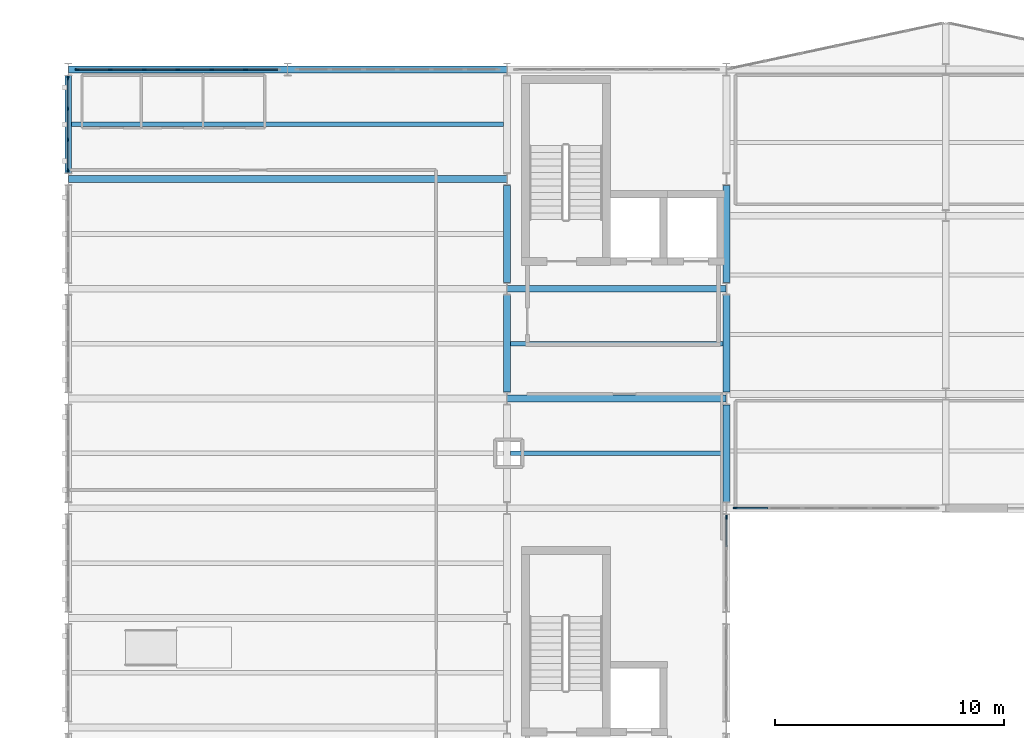
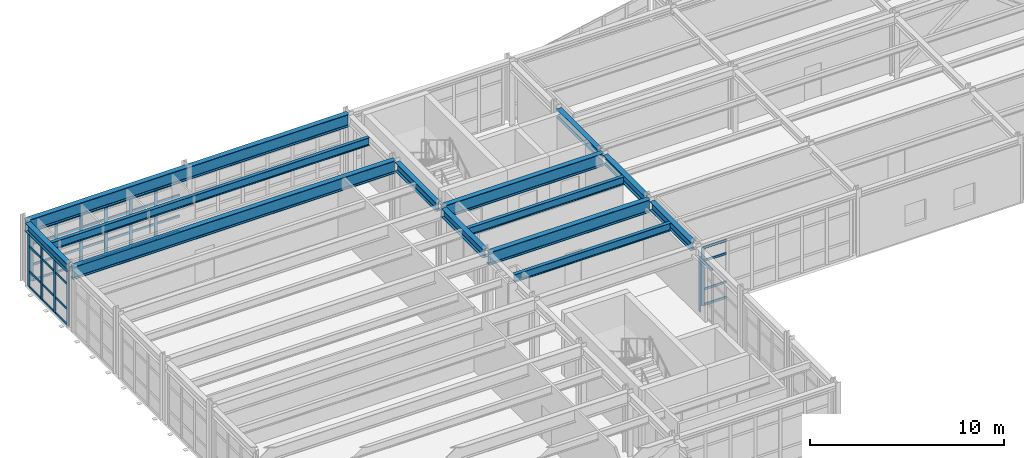
# One storey, part 31 of 76: 53 members, 13 beams, 4 elements without a shape of their own.
"""IFC4 building model written with IfcOpenShell, lengths in metres."""

import ifcopenshell
import ifcopenshell.guid

model = None  # the IFC model being written
_history = None  # IfcOwnerHistory: only IFC2X3 demands one
_inside = {}  # id of a spatial element -> (the spatial element, [elements in it])
_under = {}  # id of a project, library or spatial element -> (it, [spatial elements below it])
_declared = {}  # id of a project -> (the project, [libraries it declares])
_typed = {}  # id of a type object -> (the type object, [elements of that type])
_made_of = {}  # id of a material, layer set ... -> (it, [elements and type objects made of it])


def new_model(schema):
    """Start an empty IFC model of exactly this schema.

    Asked for "IFC4X3", IfcOpenShell would pick the latest addendum, in which some entities
    have other attributes; the version numbers below select the first issue.
    IFC2X3 requires an IfcOwnerHistory on every rooted entity: one is made here for all.
    """
    global model, _history
    if schema == "IFC4X3":
        model = ifcopenshell.file(schema_version=(4, 3, 0, 0))
    else:
        model = ifcopenshell.file(schema=schema)
    _inside.clear()
    _under.clear()
    _declared.clear()
    _typed.clear()
    _made_of.clear()
    _history = None
    if model.schema == "IFC2X3":
        org = make("IfcOrganization", Name="unknown")
        user = make(
            "IfcPersonAndOrganization",
            ThePerson=make("IfcPerson", FamilyName="unknown"),
            TheOrganization=org,
        )
        app = make(
            "IfcApplication",
            ApplicationDeveloper=org,
            Version="unknown",
            ApplicationFullName="unknown",
            ApplicationIdentifier="unknown",
        )
        _history = make(
            "IfcOwnerHistory",
            OwningUser=user,
            OwningApplication=app,
            ChangeAction="ADDED",
            CreationDate=0,
        )
    return model


def make(cls, **values):
    """One entity of the class cls with the attributes given. An attribute that is None is left unset."""
    return model.create_entity(
        cls, **{name: value for name, value in values.items() if value is not None}
    )


def rooted(cls, **values):
    """An entity with a GlobalId (a new one), such as an element, a storey or a relation."""
    return make(cls, GlobalId=ifcopenshell.guid.new(), OwnerHistory=_history, **values)


def si_unit(unit_type, name, prefix=None):
    """IfcSIUnit, for example si_unit("LENGTHUNIT", "METRE", prefix="MILLI")."""
    return make("IfcSIUnit", UnitType=unit_type, Prefix=prefix, Name=name)


def assignment(units):
    """IfcUnitAssignment: the units of a project."""
    return None if units is None else make("IfcUnitAssignment", Units=units)


def point(xyz):
    """IfcCartesianPoint."""
    return None if xyz is None else make("IfcCartesianPoint", Coordinates=xyz)


def direction(xyz):
    """IfcDirection."""
    return None if xyz is None else make("IfcDirection", DirectionRatios=xyz)


def frame(location, z_axis=None, x_axis=None):
    """IfcAxis2Placement3D, a coordinate frame: its origin and axes. An axis left out is left unset."""
    return make(
        "IfcAxis2Placement3D",
        Location=point(location),
        Axis=direction(z_axis),
        RefDirection=direction(x_axis),
    )


def frame_2d(location, x_axis=None):
    """IfcAxis2Placement2D, a coordinate frame in the plane: its origin and x axis."""
    return make(
        "IfcAxis2Placement2D", Location=point(location), RefDirection=direction(x_axis)
    )


def origin():
    """The frame at (0, 0, 0) with its axes left unset."""
    return frame((0.0, 0.0, 0.0))


def origin_2d():
    """The frame at (0, 0) in the plane with its x axis left unset."""
    return frame_2d((0.0, 0.0))


def place(relative_to, where):
    """IfcLocalPlacement: puts the frame where relative to a parent placement (None: the world)."""
    return make(
        "IfcLocalPlacement", PlacementRelTo=relative_to, RelativePlacement=where
    )


def context(
    kind, dimensions, precision=None, world=None, true_north=None, identifier=None
):
    """IfcGeometricRepresentationContext, for example the 3D "Model" context."""
    return make(
        "IfcGeometricRepresentationContext",
        ContextIdentifier=identifier,
        ContextType=kind,
        CoordinateSpaceDimension=dimensions,
        Precision=precision,
        WorldCoordinateSystem=world,
        TrueNorth=true_north,
    )


def subcontext(parent, identifier, kind, view, scale=None):
    """IfcGeometricRepresentationSubContext, for example "Body" below "Model"."""
    return make(
        "IfcGeometricRepresentationSubContext",
        ContextIdentifier=identifier,
        ContextType=kind,
        ParentContext=parent,
        TargetScale=scale,
        TargetView=view,
    )


def project(units=None, contexts=None):
    """IfcProject with its units and contexts."""
    return rooted(
        "IfcProject",
        Name="project",
        RepresentationContexts=contexts,
        UnitsInContext=assignment(units),
    )


def spatial(cls, under=None, at=None, **own):
    """A site, building, storey or space (cls), placed at a placement, below another one or the project."""
    s = rooted(cls, ObjectPlacement=at, **own)
    if under is not None:
        _under.setdefault(under.id(), (under, []))[1].append(s)
    return s


def profile(cls, at=None, kind="AREA", **sizes):
    """A parametric profile (cls). Its sizes go by their IFC names, for example OverallWidth=200.0."""
    return make(cls, ProfileType=kind, Position=at, **sizes)


def rectangle(**sizes):
    """IfcRectangleProfileDef."""
    return profile("IfcRectangleProfileDef", **sizes)


def i_section(**sizes):
    """IfcIShapeProfileDef."""
    return profile("IfcIShapeProfileDef", **sizes)


def extrude(swept, where, along, depth):
    """IfcExtrudedAreaSolid: the profile swept, set in the frame where, extruded along a direction by depth."""
    return make(
        "IfcExtrudedAreaSolid",
        SweptArea=swept,
        Position=where,
        ExtrudedDirection=direction(along),
        Depth=depth,
    )


def shape(context_of_items, identifier, shape_type, items):
    """IfcShapeRepresentation: the items that make up one representation, for example the "Body"."""
    return make(
        "IfcShapeRepresentation",
        ContextOfItems=context_of_items,
        RepresentationIdentifier=identifier,
        RepresentationType=shape_type,
        Items=items,
    )


def material(Name=None, Category=None):
    """IfcMaterial."""
    return make("IfcMaterial", Name=Name, Category=Category)


def layer(
    of_material, thickness, ventilated=None, Name=None, Category=None, Priority=None
):
    """IfcMaterialLayer: one layer of a wall or slab, of a material (None: an air gap)."""
    return make(
        "IfcMaterialLayer",
        Material=of_material,
        LayerThickness=thickness,
        IsVentilated=ventilated,
        Name=Name,
        Category=Category,
        Priority=Priority,
    )


def layer_set(layers, Name=None):
    """IfcMaterialLayerSet."""
    return make("IfcMaterialLayerSet", MaterialLayers=layers, LayerSetName=Name)


def material_profile(
    of_material, cross_section, Name=None, Category=None, Priority=None
):
    """IfcMaterialProfile: a cross section and its material."""
    return make(
        "IfcMaterialProfile",
        Name=Name,
        Material=of_material,
        Profile=cross_section,
        Priority=Priority,
        Category=Category,
    )


def profile_set(profiles, Name=None, composite=None):
    """IfcMaterialProfileSet."""
    return make(
        "IfcMaterialProfileSet",
        Name=Name,
        MaterialProfiles=profiles,
        CompositeProfile=composite,
    )


def made_of(thing, what):
    """Note that an element or type object is made of a material, layer set ...; save() writes the relation."""
    if what is not None:
        _made_of.setdefault(what.id(), (what, []))[1].append(thing)
    return thing


def type_object(cls, material=None, **own):
    """A type object (cls), such as IfcWallType, which elements share."""
    return made_of(rooted(cls, **own), material)


def element(
    cls,
    number,
    at=None,
    inside=None,
    cuts=None,
    type_object=None,
    material=None,
    context=None,
    identifier="Body",
    shape_type=None,
    held_by="IfcProductDefinitionShape",
    body=None,
    shapes=None,
    **own,
):
    """One element of the class cls, such as IfcWall. Its Tag is "e" and its number.

    at: its placement. inside: the storey or other place that contains it. cuts: it is an
    opening in that element (IfcRelVoidsElement). A single representation is given by context,
    identifier, shape_type and body (its items); several are given by shapes. held_by: the class
    of the entity that holds the representations. save() writes the other relations.
    """
    e = rooted(cls, Tag="e%d" % number, ObjectPlacement=at, **own)
    if body is not None:
        shapes = [shape(context, identifier, shape_type, body)]
    if shapes is not None:
        e.Representation = make(held_by, Representations=shapes)
    if inside is not None:
        _inside.setdefault(inside.id(), (inside, []))[1].append(e)
    if cuts is not None:
        rooted(
            "IfcRelVoidsElement", RelatingBuildingElement=cuts, RelatedOpeningElement=e
        )
    if type_object is not None:
        _typed.setdefault(type_object.id(), (type_object, []))[1].append(e)
    return made_of(e, material)


def aggregate(whole, parts):
    """IfcRelAggregates: a whole, such as a stair, and the parts it consists of."""
    return rooted("IfcRelAggregates", RelatingObject=whole, RelatedObjects=parts)


def save(model, path):
    """Write the relations noted so far, then the file.

    IfcRelAggregates (storeys below a building ...), IfcRelContainedInSpatialStructure (elements
    in a storey), IfcRelDefinesByType, IfcRelAssociatesMaterial and IfcRelDeclares: one each for
    every whole, place, type object, material and project.
    """
    for whole, parts in _under.values():
        aggregate(whole, parts)
    for where, things in _inside.values():
        rooted(
            "IfcRelContainedInSpatialStructure",
            RelatedElements=things,
            RelatingStructure=where,
        )
    for kind, things in _typed.values():
        rooted("IfcRelDefinesByType", RelatedObjects=things, RelatingType=kind)
    for what, things in _made_of.values():
        rooted("IfcRelAssociatesMaterial", RelatedObjects=things, RelatingMaterial=what)
    for by, libraries in _declared.values():
        rooted("IfcRelDeclares", RelatingContext=by, RelatedDefinitions=libraries)
    model.write(path)


model = new_model("IFC4")

# Units and contexts
model_context = context("Model", 3, precision=1e-05, world=origin(), true_north=direction((0.0, 1.0)))
body_context = subcontext(model_context, "Body", "Model", "MODEL_VIEW")
ifc_project = project(units=[si_unit("LENGTHUNIT", "METRE"), si_unit("AREAUNIT", "SQUARE_METRE"), si_unit("VOLUMEUNIT", "CUBIC_METRE"), si_unit("PLANEANGLEUNIT", "RADIAN"), si_unit("MASSUNIT", "GRAM", prefix="KILO")], contexts=[model_context])

# Site, building, storey
site_placement = place(None, origin())
site = spatial("IfcSite", under=ifc_project, at=site_placement, CompositionType="ELEMENT")
building_placement = place(site_placement, origin())
building = spatial("IfcBuilding", under=site, at=building_placement, Name="Nordkorset Police Headquarters", CompositionType="ELEMENT")
storey_placement = place(building_placement, frame((0.0, 0.0, 13.64990234375)))
storey = spatial("IfcBuildingStorey", under=building, at=storey_placement, Name="L03", CompositionType="ELEMENT", Elevation=13.64990234375)

# Beams
ifc_material_1 = material(Name="Steel S355J2", Category="steel")
ifc_material_profile_1 = material_profile(ifc_material_1, i_section(OverallWidth=0.199951171875, OverallDepth=0.5, WebThickness=0.01025390625, FlangeThickness=0.01611328125, FilletRadius=0.02099609375, at=origin_2d()), Name="IPE 500")
ifc_profile_set_1 = profile_set([ifc_material_profile_1], Name="Steel S355J2")
beam_type_1 = type_object("IfcBeamType", Name="Beam_IPE_500", PredefinedType="BEAM", material=ifc_profile_set_1)
beam_placement = place(storey_placement, frame((0.14990234375, 114.39990234375, 3.72998046875), z_axis=(1.0, 0.0, 0.0), x_axis=(0.0, 1.0, 0.0)))
element("IfcBeam", 1, at=beam_placement, inside=storey, type_object=beam_type_1, Name="Composite Floor Beam V1 L03 0-6-1", PredefinedType="BEAM", context=body_context, shape_type="SweptSolid", body=[
    extrude(i_section(OverallWidth=0.199951171875, OverallDepth=0.5, WebThickness=0.01025390625, FlangeThickness=0.01611328125, FilletRadius=0.02099609375, at=origin_2d()), origin(), (0.0, 0.0, 1.0), 18.900146484375),
])
for number, where, z_axis, x_axis, name in (
    (2, (19.35009765625, 100.0, 3.72998046875), (1.0, 0.0, 0.0), (0.0, 1.0, 0.0), "Composite Floor Beam V1 L03 1-3-1"),
    (3, (19.35009765625, 104.800048828125, 3.72998046875), (1.0, 0.0, 0.0), (0.0, 1.0, 0.0), "Composite Floor Beam V1 L03 1-4-1"),
):
    element("IfcBeam", number, at=place(storey_placement, frame(where, z_axis=z_axis, x_axis=x_axis)), inside=storey, type_object=beam_type_1, Name=name, PredefinedType="BEAM", context=body_context, shape_type="SweptSolid", body=[
        extrude(i_section(OverallWidth=0.199951171875, OverallDepth=0.5, WebThickness=0.01025390625, FlangeThickness=0.01611328125, FilletRadius=0.02099609375, at=origin_2d()), origin(), (0.0, 0.0, 1.0), 9.2998046875),
    ])

# Curtain wall, members
ifc_material_2 = material(Name="Aluminium alloy AW-6060", Category="aluminium")
ifc_layer_1 = layer(ifc_material_2, 0.179931640625, Name="Aluminium alloy AW-6060")
ifc_layer_set_1 = layer_set([ifc_layer_1], Name="Aluminium alloy AW-6060")
curtain_wall_type_1 = type_object("IfcCurtainWallType", Name="CW_Unit_408x342", PredefinedType="USERDEFINED", material=ifc_layer_set_1)
curtain_wall_1_placement = place(storey_placement, origin())
curtain_wall_1 = element("IfcCurtainWall", 4, at=curtain_wall_1_placement, inside=storey, type_object=curtain_wall_type_1, Name="Unitised Curtain Wall L03 V1W-6", ObjectType="UNITISED CURTAIN WALL", PredefinedType="USERDEFINED")
ifc_material_3 = material(Name="Aluminium alloy AW-6060", Category="aluminium")
ifc_material_profile_2 = material_profile(ifc_material_3, rectangle(XDim=0.06494140625, YDim=0.179931640625, at=origin_2d()), Name="ALU MULL 65x180")
ifc_profile_set_2 = profile_set([ifc_material_profile_2], Name="Aluminium alloy AW-6060")
member_type_1 = type_object("IfcMemberType", Name="CW_Mullion_65x180", PredefinedType="MULLION", material=ifc_profile_set_2)
member_1_placement = place(storey_placement, frame((0.0, 112.392578125, 0.0), z_axis=(0.0, 0.0, 1.0), x_axis=(-1.0, 0.0, 0.0)))
member_1 = element("IfcMember", 5, at=member_1_placement, type_object=member_type_1, Name="CW-72 mullion 1", PredefinedType="MULLION", context=body_context, shape_type="SweptSolid", body=[
    extrude(rectangle(XDim=0.06494140625, YDim=0.179931640625, at=origin_2d()), origin(), (0.0, 0.0, 1.0), 3.420166015625),
])
member_2_placement = place(storey_placement, frame((0.0, 113.719970703125, 0.0), z_axis=(0.0, 0.0, 1.0), x_axis=(-1.0, 0.0, 0.0)))
member_2 = element("IfcMember", 6, at=member_2_placement, type_object=member_type_1, Name="CW-72 mullion 2", PredefinedType="MULLION", context=body_context, shape_type="SweptSolid", body=[
    extrude(rectangle(XDim=0.06494140625, YDim=0.179931640625, at=origin_2d()), origin(), (0.0, 0.0, 1.0), 3.420166015625),
])
member_3_placement = place(storey_placement, frame((0.0, 115.080078125, 0.0), z_axis=(0.0, 0.0, 1.0), x_axis=(-1.0, 0.0, 0.0)))
member_3 = element("IfcMember", 7, at=member_3_placement, type_object=member_type_1, Name="CW-72 mullion 3", PredefinedType="MULLION", context=body_context, shape_type="SweptSolid", body=[
    extrude(rectangle(XDim=0.06494140625, YDim=0.179931640625, at=origin_2d()), origin(), (0.0, 0.0, 1.0), 3.420166015625),
])
member_4_placement = place(storey_placement, frame((0.0, 116.407470703125, 0.0), z_axis=(0.0, 0.0, 1.0), x_axis=(-1.0, 0.0, 0.0)))
member_4 = element("IfcMember", 8, at=member_4_placement, type_object=member_type_1, Name="CW-72 mullion 4", PredefinedType="MULLION", context=body_context, shape_type="SweptSolid", body=[
    extrude(rectangle(XDim=0.06494140625, YDim=0.179931640625, at=origin_2d()), origin(), (0.0, 0.0, 1.0), 3.420166015625),
])

ifc_material_4 = material(Name="Aluminium alloy AW-6060", Category="aluminium")
ifc_layer_2 = layer(ifc_material_4, 0.179931640625, Name="Aluminium alloy AW-6060")
ifc_layer_set_2 = layer_set([ifc_layer_2], Name="Aluminium alloy AW-6060")
curtain_wall_type_2 = type_object("IfcCurtainWallType", Name="CW_Unit_888x316", PredefinedType="USERDEFINED", material=ifc_layer_set_2)
curtain_wall_2_placement = place(storey_placement, origin())
curtain_wall_2 = element("IfcCurtainWall", 9, at=curtain_wall_2_placement, inside=storey, type_object=curtain_wall_type_2, Name="Unitised Curtain Wall L03 V1N-0", ObjectType="UNITISED CURTAIN WALL", PredefinedType="USERDEFINED")
member_5_placement = place(storey_placement, frame((0.392578125, 116.800048828125, 0.0), z_axis=(0.0, 0.0, 1.0), x_axis=(0.0, 1.0, 0.0)))
member_5 = element("IfcMember", 10, at=member_5_placement, type_object=member_type_1, Name="CW-109 mullion 1", PredefinedType="MULLION", context=body_context, shape_type="SweptSolid", body=[
    extrude(rectangle(XDim=0.06494140625, YDim=0.179931640625, at=origin_2d()), origin(), (0.0, 0.0, 1.0), 3.16015625),
])
member_6_placement = place(storey_placement, frame((1.840087890625, 116.800048828125, 0.0), z_axis=(0.0, 0.0, 1.0), x_axis=(0.0, 1.0, 0.0)))
member_6 = element("IfcMember", 11, at=member_6_placement, type_object=member_type_1, Name="CW-109 mullion 2", PredefinedType="MULLION", context=body_context, shape_type="SweptSolid", body=[
    extrude(rectangle(XDim=0.06494140625, YDim=0.179931640625, at=origin_2d()), origin(), (0.0, 0.0, 1.0), 3.16015625),
])
member_7_placement = place(storey_placement, frame((3.320068359375, 116.800048828125, 0.0), z_axis=(0.0, 0.0, 1.0), x_axis=(0.0, 1.0, 0.0)))
member_7 = element("IfcMember", 12, at=member_7_placement, type_object=member_type_1, Name="CW-109 mullion 3", PredefinedType="MULLION", context=body_context, shape_type="SweptSolid", body=[
    extrude(rectangle(XDim=0.06494140625, YDim=0.179931640625, at=origin_2d()), origin(), (0.0, 0.0, 1.0), 3.16015625),
])
member_8_placement = place(storey_placement, frame((4.800048828125, 116.800048828125, 0.0), z_axis=(0.0, 0.0, 1.0), x_axis=(0.0, 1.0, 0.0)))
member_8 = element("IfcMember", 13, at=member_8_placement, type_object=member_type_1, Name="CW-109 mullion 4", PredefinedType="MULLION", context=body_context, shape_type="SweptSolid", body=[
    extrude(rectangle(XDim=0.06494140625, YDim=0.179931640625, at=origin_2d()), origin(), (0.0, 0.0, 1.0), 3.16015625),
])
member_9_placement = place(storey_placement, frame((6.280029296875, 116.800048828125, 0.0), z_axis=(0.0, 0.0, 1.0), x_axis=(0.0, 1.0, 0.0)))
member_9 = element("IfcMember", 14, at=member_9_placement, type_object=member_type_1, Name="CW-109 mullion 5", PredefinedType="MULLION", context=body_context, shape_type="SweptSolid", body=[
    extrude(rectangle(XDim=0.06494140625, YDim=0.179931640625, at=origin_2d()), origin(), (0.0, 0.0, 1.0), 3.16015625),
])
member_10_placement = place(storey_placement, frame((7.760009765625, 116.800048828125, 0.0), z_axis=(0.0, 0.0, 1.0), x_axis=(0.0, 1.0, 0.0)))
member_10 = element("IfcMember", 15, at=member_10_placement, type_object=member_type_1, Name="CW-109 mullion 6", PredefinedType="MULLION", context=body_context, shape_type="SweptSolid", body=[
    extrude(rectangle(XDim=0.06494140625, YDim=0.179931640625, at=origin_2d()), origin(), (0.0, 0.0, 1.0), 3.16015625),
])

# Curtain wall, member
curtain_wall_3_placement = place(storey_placement, origin())
curtain_wall_3 = element("IfcCurtainWall", 16, at=curtain_wall_3_placement, inside=storey, type_object=curtain_wall_type_1, Name="Unitised Curtain Wall L03 V1E-2", ObjectType="UNITISED CURTAIN WALL", PredefinedType="USERDEFINED")
member_11_placement = place(storey_placement, frame((28.800048828125, 97.20751953125, 0.0), z_axis=(0.0, 0.0, 1.0), x_axis=(-1.0, 0.0, 0.0)))
member_11 = element("IfcMember", 17, at=member_11_placement, type_object=member_type_1, Name="CW-72 mullion 4", PredefinedType="MULLION", context=body_context, shape_type="SweptSolid", body=[
    extrude(rectangle(XDim=0.06494140625, YDim=0.179931640625, at=origin_2d()), origin(), (0.0, 0.0, 1.0), 3.420166015625),
])

ifc_material_5 = material(Name="Aluminium alloy AW-6060", Category="aluminium")
ifc_layer_3 = layer(ifc_material_5, 0.179931640625, Name="Aluminium alloy AW-6060")
ifc_layer_set_3 = layer_set([ifc_layer_3], Name="Aluminium alloy AW-6060")
curtain_wall_type_3 = type_object("IfcCurtainWallType", Name="CW_Unit_888x365", PredefinedType="USERDEFINED", material=ifc_layer_set_3)
curtain_wall_4_placement = place(storey_placement, origin())
curtain_wall_4 = element("IfcCurtainWall", 18, at=curtain_wall_4_placement, inside=storey, type_object=curtain_wall_type_3, Name="Unitised Curtain Wall L03 V2S-0", ObjectType="UNITISED CURTAIN WALL", PredefinedType="USERDEFINED")
member_12_placement = place(storey_placement, frame((29.1923828125, 97.60009765625, 0.0), z_axis=(0.0, 0.0, 1.0), x_axis=(0.0, 1.0, 0.0)))
member_12 = element("IfcMember", 19, at=member_12_placement, type_object=member_type_1, Name="CW-26 mullion 1", PredefinedType="MULLION", context=body_context, shape_type="SweptSolid", body=[
    extrude(rectangle(XDim=0.06494140625, YDim=0.179931640625, at=origin_2d()), origin(), (0.0, 0.0, 1.0), 3.650146484375),
])

# Member
ifc_material_6 = material(Name="Aluminium alloy AW-6060", Category="aluminium")
ifc_material_profile_3 = material_profile(ifc_material_6, rectangle(XDim=0.06494140625, YDim=0.139892578125, at=origin_2d()), Name="ALU TRAN 65x140")
ifc_profile_set_3 = profile_set([ifc_material_profile_3], Name="Aluminium alloy AW-6060")
member_type_2 = type_object("IfcMemberType", Name="CW_Transom_65x140", PredefinedType="USERDEFINED", material=ifc_profile_set_3)
member_13_placement = place(storey_placement, frame((0.0, 112.425048828125, 0.03271484375), z_axis=(0.0, 1.0, 0.0), x_axis=(-1.0, 0.0, 0.0)))
member_13 = element("IfcMember", 20, at=member_13_placement, type_object=member_type_2, Name="CW-72 transom 1.1", ObjectType="TRANSOM", PredefinedType="USERDEFINED", context=body_context, shape_type="SweptSolid", body=[
    extrude(rectangle(XDim=0.06494140625, YDim=0.139892578125, at=origin_2d()), origin(), (0.0, 0.0, 1.0), 1.262451171875),
])

member_14_placement = place(storey_placement, frame((0.0, 112.425048828125, 1.0), z_axis=(0.0, 1.0, 0.0), x_axis=(-1.0, 0.0, 0.0)))
member_14 = element("IfcMember", 21, at=member_14_placement, type_object=member_type_2, Name="CW-72 transom 1.2", ObjectType="TRANSOM", PredefinedType="USERDEFINED", context=body_context, shape_type="SweptSolid", body=[
    extrude(rectangle(XDim=0.06494140625, YDim=0.139892578125, at=origin_2d()), origin(), (0.0, 0.0, 1.0), 1.262451171875),
])

member_15_placement = place(storey_placement, frame((0.0, 112.425048828125, 2.570068359375), z_axis=(0.0, 1.0, 0.0), x_axis=(-1.0, 0.0, 0.0)))
member_15 = element("IfcMember", 22, at=member_15_placement, type_object=member_type_2, Name="CW-72 transom 1.3", ObjectType="TRANSOM", PredefinedType="USERDEFINED", context=body_context, shape_type="SweptSolid", body=[
    extrude(rectangle(XDim=0.06494140625, YDim=0.139892578125, at=origin_2d()), origin(), (0.0, 0.0, 1.0), 1.262451171875),
])

member_16_placement = place(storey_placement, frame((0.0, 112.425048828125, 3.3876953125), z_axis=(0.0, 1.0, 0.0), x_axis=(-1.0, 0.0, 0.0)))
member_16 = element("IfcMember", 23, at=member_16_placement, type_object=member_type_2, Name="CW-72 transom 1.4", ObjectType="TRANSOM", PredefinedType="USERDEFINED", context=body_context, shape_type="SweptSolid", body=[
    extrude(rectangle(XDim=0.06494140625, YDim=0.139892578125, at=origin_2d()), origin(), (0.0, 0.0, 1.0), 1.262451171875),
])

member_17_placement = place(storey_placement, frame((0.0, 113.75244140625, 0.03271484375), z_axis=(0.0, 1.0, 0.0), x_axis=(-1.0, 0.0, 0.0)))
member_17 = element("IfcMember", 24, at=member_17_placement, type_object=member_type_2, Name="CW-72 transom 2.1", ObjectType="TRANSOM", PredefinedType="USERDEFINED", context=body_context, shape_type="SweptSolid", body=[
    extrude(rectangle(XDim=0.06494140625, YDim=0.139892578125, at=origin_2d()), origin(), (0.0, 0.0, 1.0), 1.295166015625),
])

member_18_placement = place(storey_placement, frame((0.0, 113.75244140625, 1.0), z_axis=(0.0, 1.0, 0.0), x_axis=(-1.0, 0.0, 0.0)))
member_18 = element("IfcMember", 25, at=member_18_placement, type_object=member_type_2, Name="CW-72 transom 2.2", ObjectType="TRANSOM", PredefinedType="USERDEFINED", context=body_context, shape_type="SweptSolid", body=[
    extrude(rectangle(XDim=0.06494140625, YDim=0.139892578125, at=origin_2d()), origin(), (0.0, 0.0, 1.0), 1.295166015625),
])

member_19_placement = place(storey_placement, frame((0.0, 113.75244140625, 2.570068359375), z_axis=(0.0, 1.0, 0.0), x_axis=(-1.0, 0.0, 0.0)))
member_19 = element("IfcMember", 26, at=member_19_placement, type_object=member_type_2, Name="CW-72 transom 2.3", ObjectType="TRANSOM", PredefinedType="USERDEFINED", context=body_context, shape_type="SweptSolid", body=[
    extrude(rectangle(XDim=0.06494140625, YDim=0.139892578125, at=origin_2d()), origin(), (0.0, 0.0, 1.0), 1.295166015625),
])

member_20_placement = place(storey_placement, frame((0.0, 113.75244140625, 3.3876953125), z_axis=(0.0, 1.0, 0.0), x_axis=(-1.0, 0.0, 0.0)))
member_20 = element("IfcMember", 27, at=member_20_placement, type_object=member_type_2, Name="CW-72 transom 2.4", ObjectType="TRANSOM", PredefinedType="USERDEFINED", context=body_context, shape_type="SweptSolid", body=[
    extrude(rectangle(XDim=0.06494140625, YDim=0.139892578125, at=origin_2d()), origin(), (0.0, 0.0, 1.0), 1.295166015625),
])

member_21_placement = place(storey_placement, frame((0.0, 115.112548828125, 0.03271484375), z_axis=(0.0, 1.0, 0.0), x_axis=(-1.0, 0.0, 0.0)))
member_21 = element("IfcMember", 28, at=member_21_placement, type_object=member_type_2, Name="CW-72 transom 3.1", ObjectType="TRANSOM", PredefinedType="USERDEFINED", context=body_context, shape_type="SweptSolid", body=[
    extrude(rectangle(XDim=0.06494140625, YDim=0.139892578125, at=origin_2d()), origin(), (0.0, 0.0, 1.0), 1.262451171875),
])

member_22_placement = place(storey_placement, frame((0.0, 115.112548828125, 1.0), z_axis=(0.0, 1.0, 0.0), x_axis=(-1.0, 0.0, 0.0)))
member_22 = element("IfcMember", 29, at=member_22_placement, type_object=member_type_2, Name="CW-72 transom 3.2", ObjectType="TRANSOM", PredefinedType="USERDEFINED", context=body_context, shape_type="SweptSolid", body=[
    extrude(rectangle(XDim=0.06494140625, YDim=0.139892578125, at=origin_2d()), origin(), (0.0, 0.0, 1.0), 1.262451171875),
])

member_23_placement = place(storey_placement, frame((0.0, 115.112548828125, 2.570068359375), z_axis=(0.0, 1.0, 0.0), x_axis=(-1.0, 0.0, 0.0)))
member_23 = element("IfcMember", 30, at=member_23_placement, type_object=member_type_2, Name="CW-72 transom 3.3", ObjectType="TRANSOM", PredefinedType="USERDEFINED", context=body_context, shape_type="SweptSolid", body=[
    extrude(rectangle(XDim=0.06494140625, YDim=0.139892578125, at=origin_2d()), origin(), (0.0, 0.0, 1.0), 1.262451171875),
])

member_24_placement = place(storey_placement, frame((0.0, 115.112548828125, 3.3876953125), z_axis=(0.0, 1.0, 0.0), x_axis=(-1.0, 0.0, 0.0)))
member_24 = element("IfcMember", 31, at=member_24_placement, type_object=member_type_2, Name="CW-72 transom 3.4", ObjectType="TRANSOM", PredefinedType="USERDEFINED", context=body_context, shape_type="SweptSolid", body=[
    extrude(rectangle(XDim=0.06494140625, YDim=0.139892578125, at=origin_2d()), origin(), (0.0, 0.0, 1.0), 1.262451171875),
])

aggregate(curtain_wall_1, [member_1, member_2, member_3, member_4, member_13, member_14, member_15, member_16, member_17, member_18, member_19, member_20, member_21, member_22, member_23, member_24])

member_25_placement = place(storey_placement, frame((0.425048828125, 116.800048828125, 0.03271484375), z_axis=(1.0, 0.0, 0.0), x_axis=(0.0, 1.0, 0.0)))
member_25 = element("IfcMember", 32, at=member_25_placement, type_object=member_type_2, Name="CW-109 transom 1.1", ObjectType="TRANSOM", PredefinedType="USERDEFINED", context=body_context, shape_type="SweptSolid", body=[
    extrude(rectangle(XDim=0.06494140625, YDim=0.139892578125, at=origin_2d()), origin(), (0.0, 0.0, 1.0), 1.382568359375),
])

member_26_placement = place(storey_placement, frame((0.425048828125, 116.800048828125, 1.0), z_axis=(1.0, 0.0, 0.0), x_axis=(0.0, 1.0, 0.0)))
member_26 = element("IfcMember", 33, at=member_26_placement, type_object=member_type_2, Name="CW-109 transom 1.2", ObjectType="TRANSOM", PredefinedType="USERDEFINED", context=body_context, shape_type="SweptSolid", body=[
    extrude(rectangle(XDim=0.06494140625, YDim=0.139892578125, at=origin_2d()), origin(), (0.0, 0.0, 1.0), 1.382568359375),
])

member_27_placement = place(storey_placement, frame((0.425048828125, 116.800048828125, 2.31005859375), z_axis=(1.0, 0.0, 0.0), x_axis=(0.0, 1.0, 0.0)))
member_27 = element("IfcMember", 34, at=member_27_placement, type_object=member_type_2, Name="CW-109 transom 1.3", ObjectType="TRANSOM", PredefinedType="USERDEFINED", context=body_context, shape_type="SweptSolid", body=[
    extrude(rectangle(XDim=0.06494140625, YDim=0.139892578125, at=origin_2d()), origin(), (0.0, 0.0, 1.0), 1.382568359375),
])

member_28_placement = place(storey_placement, frame((0.425048828125, 116.800048828125, 3.127685546875), z_axis=(1.0, 0.0, 0.0), x_axis=(0.0, 1.0, 0.0)))
member_28 = element("IfcMember", 35, at=member_28_placement, type_object=member_type_2, Name="CW-109 transom 1.4", ObjectType="TRANSOM", PredefinedType="USERDEFINED", context=body_context, shape_type="SweptSolid", body=[
    extrude(rectangle(XDim=0.06494140625, YDim=0.139892578125, at=origin_2d()), origin(), (0.0, 0.0, 1.0), 1.382568359375),
])

member_29_placement = place(storey_placement, frame((1.87255859375, 116.800048828125, 0.03271484375), z_axis=(1.0, 0.0, 0.0), x_axis=(0.0, 1.0, 0.0)))
member_29 = element("IfcMember", 36, at=member_29_placement, type_object=member_type_2, Name="CW-109 transom 2.1", ObjectType="TRANSOM", PredefinedType="USERDEFINED", context=body_context, shape_type="SweptSolid", body=[
    extrude(rectangle(XDim=0.06494140625, YDim=0.139892578125, at=origin_2d()), origin(), (0.0, 0.0, 1.0), 1.4150390625),
])

member_30_placement = place(storey_placement, frame((1.87255859375, 116.800048828125, 1.0), z_axis=(1.0, 0.0, 0.0), x_axis=(0.0, 1.0, 0.0)))
member_30 = element("IfcMember", 37, at=member_30_placement, type_object=member_type_2, Name="CW-109 transom 2.2", ObjectType="TRANSOM", PredefinedType="USERDEFINED", context=body_context, shape_type="SweptSolid", body=[
    extrude(rectangle(XDim=0.06494140625, YDim=0.139892578125, at=origin_2d()), origin(), (0.0, 0.0, 1.0), 1.4150390625),
])

member_31_placement = place(storey_placement, frame((1.87255859375, 116.800048828125, 2.31005859375), z_axis=(1.0, 0.0, 0.0), x_axis=(0.0, 1.0, 0.0)))
member_31 = element("IfcMember", 38, at=member_31_placement, type_object=member_type_2, Name="CW-109 transom 2.3", ObjectType="TRANSOM", PredefinedType="USERDEFINED", context=body_context, shape_type="SweptSolid", body=[
    extrude(rectangle(XDim=0.06494140625, YDim=0.139892578125, at=origin_2d()), origin(), (0.0, 0.0, 1.0), 1.4150390625),
])

member_32_placement = place(storey_placement, frame((1.87255859375, 116.800048828125, 3.127685546875), z_axis=(1.0, 0.0, 0.0), x_axis=(0.0, 1.0, 0.0)))
member_32 = element("IfcMember", 39, at=member_32_placement, type_object=member_type_2, Name="CW-109 transom 2.4", ObjectType="TRANSOM", PredefinedType="USERDEFINED", context=body_context, shape_type="SweptSolid", body=[
    extrude(rectangle(XDim=0.06494140625, YDim=0.139892578125, at=origin_2d()), origin(), (0.0, 0.0, 1.0), 1.4150390625),
])

member_33_placement = place(storey_placement, frame((3.3525390625, 116.800048828125, 0.03271484375), z_axis=(1.0, 0.0, 0.0), x_axis=(0.0, 1.0, 0.0)))
member_33 = element("IfcMember", 40, at=member_33_placement, type_object=member_type_2, Name="CW-109 transom 3.1", ObjectType="TRANSOM", PredefinedType="USERDEFINED", context=body_context, shape_type="SweptSolid", body=[
    extrude(rectangle(XDim=0.06494140625, YDim=0.139892578125, at=origin_2d()), origin(), (0.0, 0.0, 1.0), 1.4150390625),
])

member_34_placement = place(storey_placement, frame((3.3525390625, 116.800048828125, 1.0), z_axis=(1.0, 0.0, 0.0), x_axis=(0.0, 1.0, 0.0)))
member_34 = element("IfcMember", 41, at=member_34_placement, type_object=member_type_2, Name="CW-109 transom 3.2", ObjectType="TRANSOM", PredefinedType="USERDEFINED", context=body_context, shape_type="SweptSolid", body=[
    extrude(rectangle(XDim=0.06494140625, YDim=0.139892578125, at=origin_2d()), origin(), (0.0, 0.0, 1.0), 1.4150390625),
])

member_35_placement = place(storey_placement, frame((3.3525390625, 116.800048828125, 2.31005859375), z_axis=(1.0, 0.0, 0.0), x_axis=(0.0, 1.0, 0.0)))
member_35 = element("IfcMember", 42, at=member_35_placement, type_object=member_type_2, Name="CW-109 transom 3.3", ObjectType="TRANSOM", PredefinedType="USERDEFINED", context=body_context, shape_type="SweptSolid", body=[
    extrude(rectangle(XDim=0.06494140625, YDim=0.139892578125, at=origin_2d()), origin(), (0.0, 0.0, 1.0), 1.4150390625),
])

member_36_placement = place(storey_placement, frame((3.3525390625, 116.800048828125, 3.127685546875), z_axis=(1.0, 0.0, 0.0), x_axis=(0.0, 1.0, 0.0)))
member_36 = element("IfcMember", 43, at=member_36_placement, type_object=member_type_2, Name="CW-109 transom 3.4", ObjectType="TRANSOM", PredefinedType="USERDEFINED", context=body_context, shape_type="SweptSolid", body=[
    extrude(rectangle(XDim=0.06494140625, YDim=0.139892578125, at=origin_2d()), origin(), (0.0, 0.0, 1.0), 1.4150390625),
])

member_37_placement = place(storey_placement, frame((4.83251953125, 116.800048828125, 0.03271484375), z_axis=(1.0, 0.0, 0.0), x_axis=(0.0, 1.0, 0.0)))
member_37 = element("IfcMember", 44, at=member_37_placement, type_object=member_type_2, Name="CW-109 transom 4.1", ObjectType="TRANSOM", PredefinedType="USERDEFINED", context=body_context, shape_type="SweptSolid", body=[
    extrude(rectangle(XDim=0.06494140625, YDim=0.139892578125, at=origin_2d()), origin(), (0.0, 0.0, 1.0), 1.4150390625),
])

member_38_placement = place(storey_placement, frame((4.83251953125, 116.800048828125, 1.0), z_axis=(1.0, 0.0, 0.0), x_axis=(0.0, 1.0, 0.0)))
member_38 = element("IfcMember", 45, at=member_38_placement, type_object=member_type_2, Name="CW-109 transom 4.2", ObjectType="TRANSOM", PredefinedType="USERDEFINED", context=body_context, shape_type="SweptSolid", body=[
    extrude(rectangle(XDim=0.06494140625, YDim=0.139892578125, at=origin_2d()), origin(), (0.0, 0.0, 1.0), 1.4150390625),
])

member_39_placement = place(storey_placement, frame((4.83251953125, 116.800048828125, 2.31005859375), z_axis=(1.0, 0.0, 0.0), x_axis=(0.0, 1.0, 0.0)))
member_39 = element("IfcMember", 46, at=member_39_placement, type_object=member_type_2, Name="CW-109 transom 4.3", ObjectType="TRANSOM", PredefinedType="USERDEFINED", context=body_context, shape_type="SweptSolid", body=[
    extrude(rectangle(XDim=0.06494140625, YDim=0.139892578125, at=origin_2d()), origin(), (0.0, 0.0, 1.0), 1.4150390625),
])

member_40_placement = place(storey_placement, frame((4.83251953125, 116.800048828125, 3.127685546875), z_axis=(1.0, 0.0, 0.0), x_axis=(0.0, 1.0, 0.0)))
member_40 = element("IfcMember", 47, at=member_40_placement, type_object=member_type_2, Name="CW-109 transom 4.4", ObjectType="TRANSOM", PredefinedType="USERDEFINED", context=body_context, shape_type="SweptSolid", body=[
    extrude(rectangle(XDim=0.06494140625, YDim=0.139892578125, at=origin_2d()), origin(), (0.0, 0.0, 1.0), 1.4150390625),
])

member_41_placement = place(storey_placement, frame((6.3125, 116.800048828125, 0.03271484375), z_axis=(1.0, 0.0, 0.0), x_axis=(0.0, 1.0, 0.0)))
member_41 = element("IfcMember", 48, at=member_41_placement, type_object=member_type_2, Name="CW-109 transom 5.1", ObjectType="TRANSOM", PredefinedType="USERDEFINED", context=body_context, shape_type="SweptSolid", body=[
    extrude(rectangle(XDim=0.06494140625, YDim=0.139892578125, at=origin_2d()), origin(), (0.0, 0.0, 1.0), 1.4150390625),
])

member_42_placement = place(storey_placement, frame((6.3125, 116.800048828125, 1.0), z_axis=(1.0, 0.0, 0.0), x_axis=(0.0, 1.0, 0.0)))
member_42 = element("IfcMember", 49, at=member_42_placement, type_object=member_type_2, Name="CW-109 transom 5.2", ObjectType="TRANSOM", PredefinedType="USERDEFINED", context=body_context, shape_type="SweptSolid", body=[
    extrude(rectangle(XDim=0.06494140625, YDim=0.139892578125, at=origin_2d()), origin(), (0.0, 0.0, 1.0), 1.4150390625),
])

member_43_placement = place(storey_placement, frame((6.3125, 116.800048828125, 2.31005859375), z_axis=(1.0, 0.0, 0.0), x_axis=(0.0, 1.0, 0.0)))
member_43 = element("IfcMember", 50, at=member_43_placement, type_object=member_type_2, Name="CW-109 transom 5.3", ObjectType="TRANSOM", PredefinedType="USERDEFINED", context=body_context, shape_type="SweptSolid", body=[
    extrude(rectangle(XDim=0.06494140625, YDim=0.139892578125, at=origin_2d()), origin(), (0.0, 0.0, 1.0), 1.4150390625),
])

member_44_placement = place(storey_placement, frame((6.3125, 116.800048828125, 3.127685546875), z_axis=(1.0, 0.0, 0.0), x_axis=(0.0, 1.0, 0.0)))
member_44 = element("IfcMember", 51, at=member_44_placement, type_object=member_type_2, Name="CW-109 transom 5.4", ObjectType="TRANSOM", PredefinedType="USERDEFINED", context=body_context, shape_type="SweptSolid", body=[
    extrude(rectangle(XDim=0.06494140625, YDim=0.139892578125, at=origin_2d()), origin(), (0.0, 0.0, 1.0), 1.4150390625),
])

member_45_placement = place(storey_placement, frame((7.79248046875, 116.800048828125, 0.03271484375), z_axis=(1.0, 0.0, 0.0), x_axis=(0.0, 1.0, 0.0)))
member_45 = element("IfcMember", 52, at=member_45_placement, type_object=member_type_2, Name="CW-109 transom 6.1", ObjectType="TRANSOM", PredefinedType="USERDEFINED", context=body_context, shape_type="SweptSolid", body=[
    extrude(rectangle(XDim=0.06494140625, YDim=0.139892578125, at=origin_2d()), origin(), (0.0, 0.0, 1.0), 1.382568359375),
])

member_46_placement = place(storey_placement, frame((7.79248046875, 116.800048828125, 1.0), z_axis=(1.0, 0.0, 0.0), x_axis=(0.0, 1.0, 0.0)))
member_46 = element("IfcMember", 53, at=member_46_placement, type_object=member_type_2, Name="CW-109 transom 6.2", ObjectType="TRANSOM", PredefinedType="USERDEFINED", context=body_context, shape_type="SweptSolid", body=[
    extrude(rectangle(XDim=0.06494140625, YDim=0.139892578125, at=origin_2d()), origin(), (0.0, 0.0, 1.0), 1.382568359375),
])

member_47_placement = place(storey_placement, frame((7.79248046875, 116.800048828125, 2.31005859375), z_axis=(1.0, 0.0, 0.0), x_axis=(0.0, 1.0, 0.0)))
member_47 = element("IfcMember", 54, at=member_47_placement, type_object=member_type_2, Name="CW-109 transom 6.3", ObjectType="TRANSOM", PredefinedType="USERDEFINED", context=body_context, shape_type="SweptSolid", body=[
    extrude(rectangle(XDim=0.06494140625, YDim=0.139892578125, at=origin_2d()), origin(), (0.0, 0.0, 1.0), 1.382568359375),
])

member_48_placement = place(storey_placement, frame((7.79248046875, 116.800048828125, 3.127685546875), z_axis=(1.0, 0.0, 0.0), x_axis=(0.0, 1.0, 0.0)))
member_48 = element("IfcMember", 55, at=member_48_placement, type_object=member_type_2, Name="CW-109 transom 6.4", ObjectType="TRANSOM", PredefinedType="USERDEFINED", context=body_context, shape_type="SweptSolid", body=[
    extrude(rectangle(XDim=0.06494140625, YDim=0.139892578125, at=origin_2d()), origin(), (0.0, 0.0, 1.0), 1.382568359375),
])

aggregate(curtain_wall_2, [member_5, member_6, member_7, member_8, member_9, member_10, member_25, member_26, member_27, member_28, member_29, member_30, member_31, member_32, member_33, member_34, member_35, member_36, member_37, member_38, member_39, member_40, member_41, member_42, member_43, member_44, member_45, member_46, member_47, member_48])

member_49_placement = place(storey_placement, frame((28.800048828125, 95.91259765625, 3.3876953125), z_axis=(0.0, 1.0, 0.0), x_axis=(-1.0, 0.0, 0.0)))
member_49 = element("IfcMember", 56, at=member_49_placement, type_object=member_type_2, Name="CW-72 transom 3.4", ObjectType="TRANSOM", PredefinedType="USERDEFINED", context=body_context, shape_type="SweptSolid", body=[
    extrude(rectangle(XDim=0.06494140625, YDim=0.139892578125, at=origin_2d()), origin(), (0.0, 0.0, 1.0), 1.262451171875),
])

aggregate(curtain_wall_3, [member_11, member_49])

member_50_placement = place(storey_placement, frame((29.22509765625, 97.60009765625, 0.03271484375), z_axis=(1.0, 0.0, 0.0), x_axis=(0.0, 1.0, 0.0)))
member_50 = element("IfcMember", 57, at=member_50_placement, type_object=member_type_2, Name="CW-26 transom 1.1", ObjectType="TRANSOM", PredefinedType="USERDEFINED", context=body_context, shape_type="SweptSolid", body=[
    extrude(rectangle(XDim=0.06494140625, YDim=0.139892578125, at=origin_2d()), origin(), (0.0, 0.0, 1.0), 1.38232421875),
])

member_51_placement = place(storey_placement, frame((29.22509765625, 97.60009765625, 1.0), z_axis=(1.0, 0.0, 0.0), x_axis=(0.0, 1.0, 0.0)))
member_51 = element("IfcMember", 58, at=member_51_placement, type_object=member_type_2, Name="CW-26 transom 1.2", ObjectType="TRANSOM", PredefinedType="USERDEFINED", context=body_context, shape_type="SweptSolid", body=[
    extrude(rectangle(XDim=0.06494140625, YDim=0.139892578125, at=origin_2d()), origin(), (0.0, 0.0, 1.0), 1.38232421875),
])

member_52_placement = place(storey_placement, frame((29.22509765625, 97.60009765625, 2.800048828125), z_axis=(1.0, 0.0, 0.0), x_axis=(0.0, 1.0, 0.0)))
member_52 = element("IfcMember", 59, at=member_52_placement, type_object=member_type_2, Name="CW-26 transom 1.3", ObjectType="TRANSOM", PredefinedType="USERDEFINED", context=body_context, shape_type="SweptSolid", body=[
    extrude(rectangle(XDim=0.06494140625, YDim=0.139892578125, at=origin_2d()), origin(), (0.0, 0.0, 1.0), 1.38232421875),
])

member_53_placement = place(storey_placement, frame((29.22509765625, 97.60009765625, 3.61767578125), z_axis=(1.0, 0.0, 0.0), x_axis=(0.0, 1.0, 0.0)))
member_53 = element("IfcMember", 60, at=member_53_placement, type_object=member_type_2, Name="CW-26 transom 1.4", ObjectType="TRANSOM", PredefinedType="USERDEFINED", context=body_context, shape_type="SweptSolid", body=[
    extrude(rectangle(XDim=0.06494140625, YDim=0.139892578125, at=origin_2d()), origin(), (0.0, 0.0, 1.0), 1.38232421875),
])

aggregate(curtain_wall_4, [member_12, member_50, member_51, member_52, member_53])

# Beams
ifc_material_7 = material(Name="Steel S355J2", Category="steel")
ifc_material_profile_4 = material_profile(ifc_material_7, i_section(OverallWidth=0.300048828125, OverallDepth=0.5400390625, WebThickness=0.012451171875, FlangeThickness=0.02392578125, FilletRadius=0.027099609375, at=origin_2d()), Name="HEA 550")
ifc_profile_set_4 = profile_set([ifc_material_profile_4], Name="Steel S355J2")
beam_type_2 = type_object("IfcBeamType", Name="Girder_HEA_550", PredefinedType="USERDEFINED", material=ifc_profile_set_4)
for number, where, z_axis, x_axis, name in (
    (61, (0.0, 112.27490234375, 3.710205078125), (0.0, 1.0, 0.0), (-1.0, 0.0, 0.0), "Girder V1 L03 GY-0-6"),
    (62, (19.199951171875, 102.675048828125, 3.710205078125), (0.0, 1.0, 0.0), (-1.0, 0.0, 0.0), "Girder V1 L03 GY-1-4"),
    (63, (19.199951171875, 107.47509765625, 3.710205078125), (0.0, 1.0, 0.0), (-1.0, 0.0, 0.0), "Girder V1 L03 GY-1-5"),
    (64, (28.800048828125, 97.875, 3.710205078125), (0.0, 1.0, 0.0), (-1.0, 0.0, 0.0), "Girder V1 L03 GY-2-3"),
    (65, (28.800048828125, 102.675048828125, 3.710205078125), (0.0, 1.0, 0.0), (-1.0, 0.0, 0.0), "Girder V1 L03 GY-2-4"),
    (66, (28.800048828125, 107.47509765625, 3.710205078125), (0.0, 1.0, 0.0), (-1.0, 0.0, 0.0), "Girder V1 L03 GY-2-5"),
):
    element("IfcBeam", number, at=place(storey_placement, frame(where, z_axis=z_axis, x_axis=x_axis)), inside=storey, type_object=beam_type_2, Name=name, ObjectType="GIRDER", PredefinedType="USERDEFINED", context=body_context, shape_type="SweptSolid", body=[
        extrude(i_section(OverallWidth=0.300048828125, OverallDepth=0.5400390625, WebThickness=0.012451171875, FlangeThickness=0.02392578125, FilletRadius=0.027099609375, at=origin_2d()), origin(), (0.0, 0.0, 1.0), 4.25),
    ])
ifc_material_8 = material(Name="Steel S355J2", Category="steel")
ifc_material_profile_5 = material_profile(ifc_material_8, i_section(OverallWidth=0.300048828125, OverallDepth=0.800048828125, WebThickness=0.017578125, FlangeThickness=0.032958984375, FilletRadius=0.030029296875, at=origin_2d()), Name="HEB 800")
ifc_profile_set_5 = profile_set([ifc_material_profile_5], Name="Steel S355J2")
beam_type_3 = type_object("IfcBeamType", Name="Girder_HEB_800", PredefinedType="USERDEFINED", material=ifc_profile_set_5)
for number, where, z_axis, x_axis, name in (
    (67, (19.20751953125, 102.39990234375, 3.580078125), (1.0, 0.0, 0.0), (0.0, 1.0, 0.0), "Girder V1 L03 GX-4-1"),
    (68, (19.20751953125, 107.199951171875, 3.580078125), (1.0, 0.0, 0.0), (0.0, 1.0, 0.0), "Girder V1 L03 GX-5-1"),
):
    element("IfcBeam", number, at=place(storey_placement, frame(where, z_axis=z_axis, x_axis=x_axis)), inside=storey, type_object=beam_type_3, Name=name, ObjectType="GIRDER", PredefinedType="USERDEFINED", context=body_context, shape_type="SweptSolid", body=[
        extrude(i_section(OverallWidth=0.300048828125, OverallDepth=0.800048828125, WebThickness=0.017578125, FlangeThickness=0.032958984375, FilletRadius=0.030029296875, at=origin_2d()), origin(), (0.0, 0.0, 1.0), 9.5849609375),
    ])
for number, where, z_axis, x_axis, name in (
    (69, (0.007568359375, 112.0, 3.580078125), (1.0, 0.0, 0.0), (0.0, 1.0, 0.0), "Girder V1 L03 GX-6-0"),
    (70, (0.007568359375, 116.800048828125, 3.580078125), (1.0, 0.0, 0.0), (0.0, 1.0, 0.0), "Girder V1 L03 GX-7-0"),
):
    element("IfcBeam", number, at=place(storey_placement, frame(where, z_axis=z_axis, x_axis=x_axis)), inside=storey, type_object=beam_type_3, Name=name, ObjectType="GIRDER", PredefinedType="USERDEFINED", context=body_context, shape_type="SweptSolid", body=[
        extrude(i_section(OverallWidth=0.300048828125, OverallDepth=0.800048828125, WebThickness=0.017578125, FlangeThickness=0.032958984375, FilletRadius=0.030029296875, at=origin_2d()), origin(), (0.0, 0.0, 1.0), 19.184814453125),
    ])

save(model, "model.ifc")
